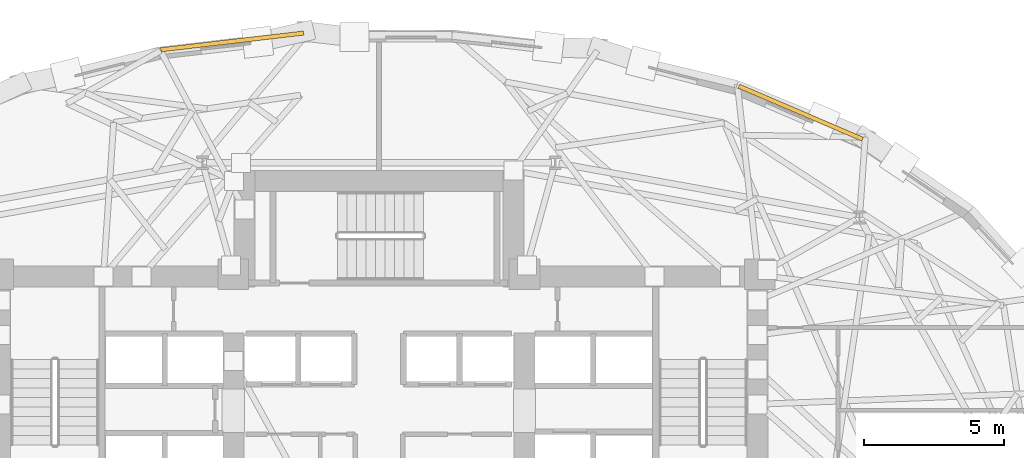
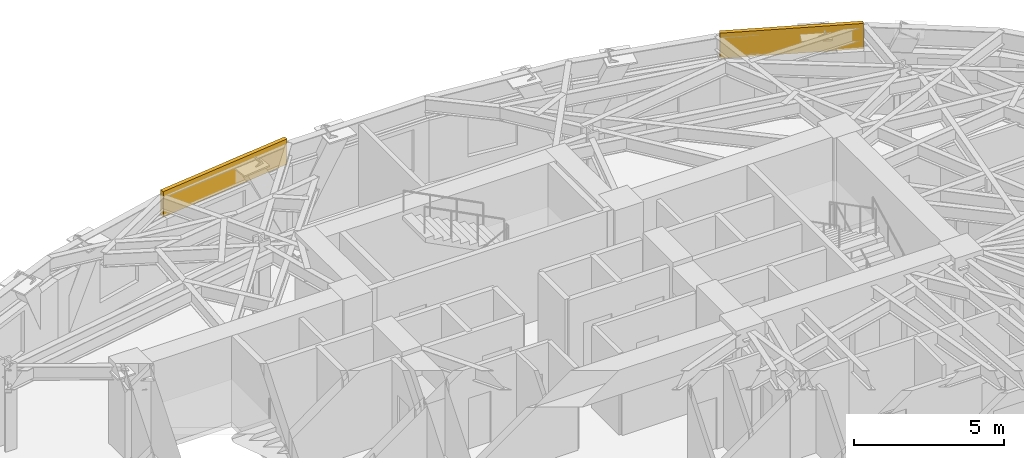
# One storey, part 15 of 15: 2 coverings.
"""IFC4 building model written with IfcOpenShell, lengths in metres."""

from ifc_helpers import new_model, si_unit, direction, frame, origin, origin_2d, place, context, subcontext, project, spatial, rectangle, extrude, material, layer, layer_set, type_object, element, save


model = new_model("IFC4")

# Units and contexts
model_context = context("Model", 3, precision=1e-05, world=origin(), true_north=direction((0.0, 1.0)))
body_context = subcontext(model_context, "Body", "Model", "MODEL_VIEW")
ifc_project = project(units=[si_unit("LENGTHUNIT", "METRE"), si_unit("AREAUNIT", "SQUARE_METRE"), si_unit("VOLUMEUNIT", "CUBIC_METRE"), si_unit("PLANEANGLEUNIT", "RADIAN"), si_unit("MASSUNIT", "GRAM", prefix="KILO")], contexts=[model_context])

# Site, building, storey
site_placement = place(None, origin())
site = spatial("IfcSite", under=ifc_project, at=site_placement, CompositionType="ELEMENT")
building_placement = place(site_placement, origin())
building = spatial("IfcBuilding", under=site, at=building_placement, Name="Keldmark Tower", CompositionType="ELEMENT")
storey_placement = place(building_placement, frame((0.0, 0.0, 114.10009765625)))
storey = spatial("IfcBuildingStorey", under=building, at=storey_placement, Name="L30", CompositionType="ELEMENT", Elevation=114.10009765625)

# Coverings
ifc_material = material(Name="Honed Kasota Buff Dolomitic Limestone", Category="masonry")
ifc_layer = layer(ifc_material, 0.074951171875)
ifc_layer_set = layer_set([ifc_layer], Name="Honed Kasota Buff Dolomitic Limestone")
covering_type = type_object("IfcCoveringType", Name="Kasota Buff Limestone Spandrel Cladding Band", PredefinedType="CLADDING", material=ifc_layer_set)
covering_1_placement = place(storey_placement, frame((15.068115234375, 15.222900390625, 2.45166015625), z_axis=(0.0, 0.0, 1.0), x_axis=(-0.918990890271, 0.39427876382, 0.0)))
element("IfcCovering", 1, at=covering_1_placement, inside=storey, type_object=covering_type, Name="L30 Kasota Limestone Spandrel Band 05", PredefinedType="CLADDING", context=body_context, shape_type="SweptSolid", body=[
    extrude(rectangle(XDim=4.806396484375, YDim=0.14990234375, at=origin_2d()), origin(), (0.0, 0.0, 1.0), 1.028076171875),
])
covering_2_placement = place(storey_placement, frame((-5.239013671875, 17.767578125, 2.45166015625), z_axis=(0.0, 0.0, 1.0), x_axis=(-0.993199127929, -0.116428056249, 0.0)))
element("IfcCovering", 2, at=covering_2_placement, inside=storey, type_object=covering_type, Name="L30 Kasota Limestone Spandrel Band 09", PredefinedType="CLADDING", context=body_context, shape_type="SweptSolid", body=[
    extrude(rectangle(XDim=5.13623046875, YDim=0.14990234375, at=origin_2d()), origin(), (0.0, 0.0, 1.0), 1.028076171875),
])

save(model, "model.ifc")
